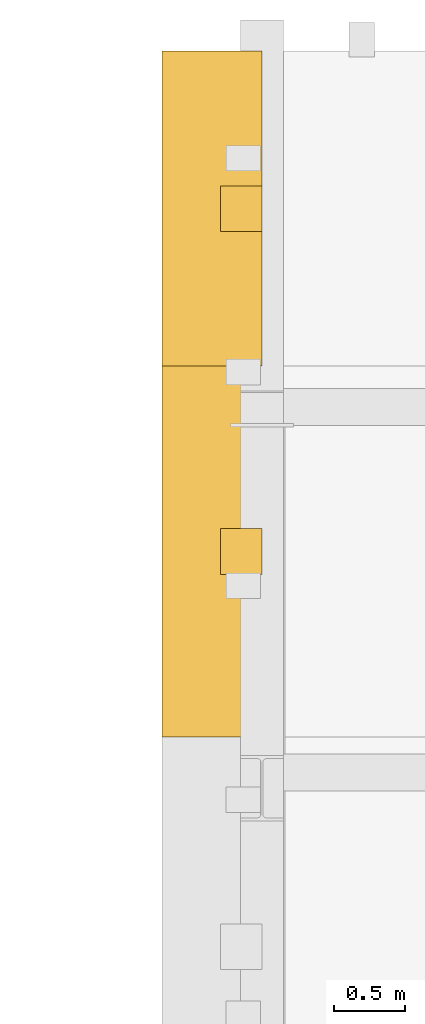
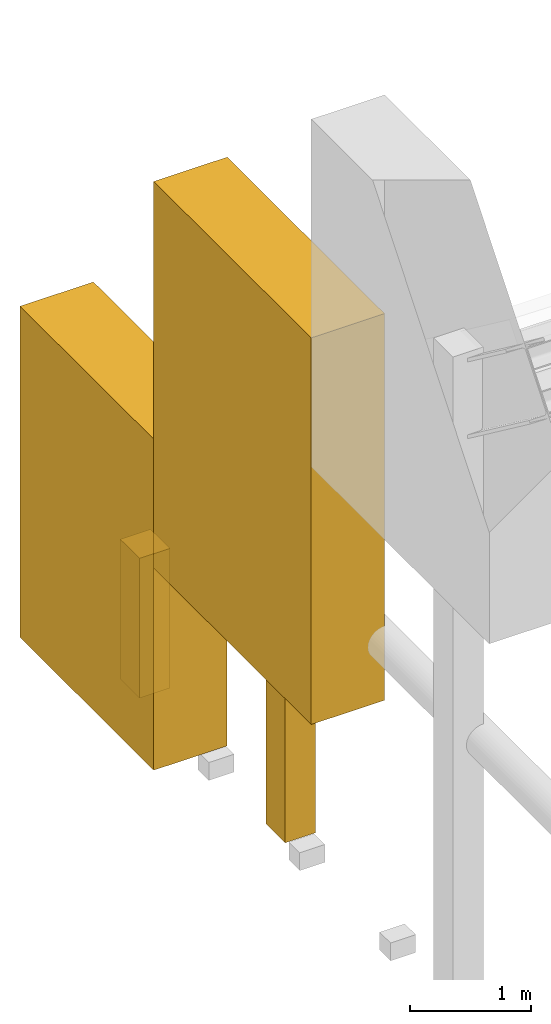
# One storey, part 29 of 35: 4 coverings.
"""IFC4 building model written with IfcOpenShell, lengths in metres."""

from ifc_helpers import new_model, si_unit, direction, frame, origin, place, context, subcontext, project, spatial, polyline, outline, extrude, material, layer, layer_set, type_object, element, save


model = new_model("IFC4")

# Units and contexts
model_context = context("Model", 3, precision=1e-05, world=origin(), true_north=direction((0.0, 1.0)))
body_context = subcontext(model_context, "Body", "Model", "MODEL_VIEW")
ifc_project = project(units=[si_unit("LENGTHUNIT", "METRE"), si_unit("AREAUNIT", "SQUARE_METRE"), si_unit("VOLUMEUNIT", "CUBIC_METRE"), si_unit("PLANEANGLEUNIT", "RADIAN"), si_unit("MASSUNIT", "GRAM", prefix="KILO")], contexts=[model_context])

# Site, building, storey
site_placement = place(None, origin())
site = spatial("IfcSite", under=ifc_project, at=site_placement, CompositionType="ELEMENT")
building_placement = place(site_placement, origin())
building = spatial("IfcBuilding", under=site, at=building_placement, Name="Zlatogorsky Bluff Art Gallery", CompositionType="ELEMENT")
storey_placement = place(building_placement, frame((0.0, 0.0, 23.39990234375)))
storey = spatial("IfcBuildingStorey", under=building, at=storey_placement, Name="L04", CompositionType="ELEMENT", Elevation=23.39990234375)

# Coverings
ifc_material_1 = material(Name="Honed Red Agra-Tone Quartzitic Sandstone", Category="masonry")
ifc_layer_1 = layer(ifc_material_1, 0.1201171875)
ifc_layer_set_1 = layer_set([ifc_layer_1], Name="Carved Sandstone Cladding CLD-02")
covering_type_1 = type_object("IfcCoveringType", Name="Carved Sandstone Cladding CLD-02", PredefinedType="CLADDING", material=ifc_layer_set_1)
covering_1_placement = place(storey_placement, frame((0.0, 0.0, 1.98779296875)))
element("IfcCovering", 1, at=covering_1_placement, inside=storey, type_object=covering_type_1, Name="Barrel vault Mughal pointed gable archivolt WEST.11", PredefinedType="CLADDING", context=body_context, shape_type="SweptSolid", body=[
    extrude(outline(polyline([(-0.64990234375, 115.190673828125), (0.050048828125, 115.190673828125), (0.050048828125, 117.79150390625), (-0.64990234375, 117.79150390625), (-0.64990234375, 115.190673828125)])), origin(), (0.0, 0.0, 1.0), 3.897216796875),
])
covering_2_placement = place(storey_placement, frame((0.0, 0.0, -0.0498046875)))
element("IfcCovering", 2, at=covering_2_placement, inside=storey, type_object=covering_type_1, Name="Barrel vault Mughal pointed gable archivolt WEST.12", PredefinedType="CLADDING", context=body_context, shape_type="SweptSolid", body=[
    extrude(outline(polyline([(-0.64990234375, 117.79150390625), (0.050048828125, 117.79150390625), (0.050048828125, 120.0), (-0.64990234375, 120.0), (-0.64990234375, 117.79150390625)])), origin(), (0.0, 0.0, 1.0), 3.337646484375),
])
ifc_material_2 = material(Name="Patinated Architectural Bronze Fin", Category="metal")
ifc_layer_2 = layer(ifc_material_2, 0.110107421875)
ifc_layer_set_2 = layer_set([ifc_layer_2], Name="Vertical Gallery Fin FIN-01")
covering_type_2 = type_object("IfcCoveringType", Name="Vertical Gallery Fin FIN-01", PredefinedType="CLADDING", material=ifc_layer_set_2)
covering_3_placement = place(storey_placement, frame((0.0, 0.0, -0.039794921875)))
element("IfcCovering", 3, at=covering_3_placement, inside=storey, type_object=covering_type_2, Name="Barrel vault gable tympanum bronze mullion WEST.11", PredefinedType="CLADDING", context=body_context, shape_type="SweptSolid", body=[
    extrude(outline(polyline([(-0.239990234375, 116.3310546875), (0.050048828125, 116.3310546875), (0.050048828125, 116.65087890625), (-0.239990234375, 116.65087890625), (-0.239990234375, 116.3310546875)])), origin(), (0.0, 0.0, 1.0), 4.17626953125),
])
covering_4_placement = place(storey_placement, frame((0.0, 0.0, -0.039794921875)))
element("IfcCovering", 4, at=covering_4_placement, inside=storey, type_object=covering_type_2, Name="Barrel vault gable tympanum bronze mullion WEST.12", PredefinedType="CLADDING", context=body_context, shape_type="SweptSolid", body=[
    extrude(outline(polyline([(-0.239990234375, 118.735595703125), (0.050048828125, 118.735595703125), (0.050048828125, 119.0556640625), (-0.239990234375, 119.0556640625), (-0.239990234375, 118.735595703125)])), origin(), (0.0, 0.0, 1.0), 1.40869140625),
])

save(model, "model.ifc")
